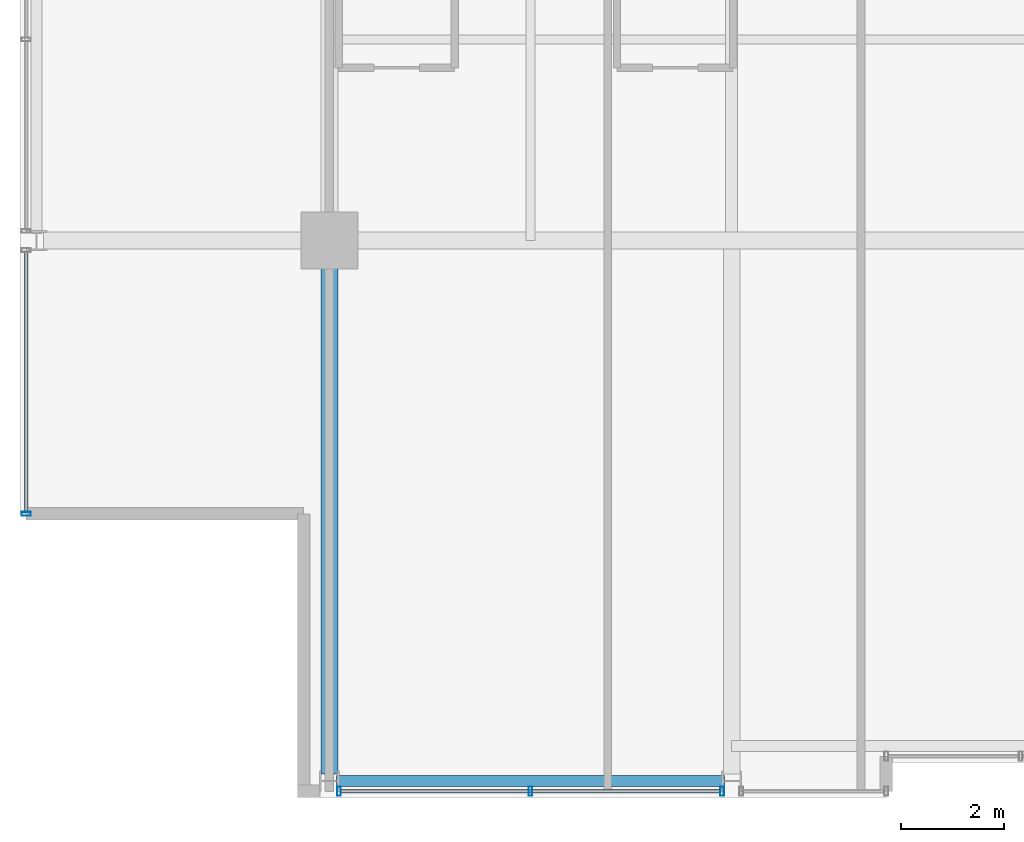
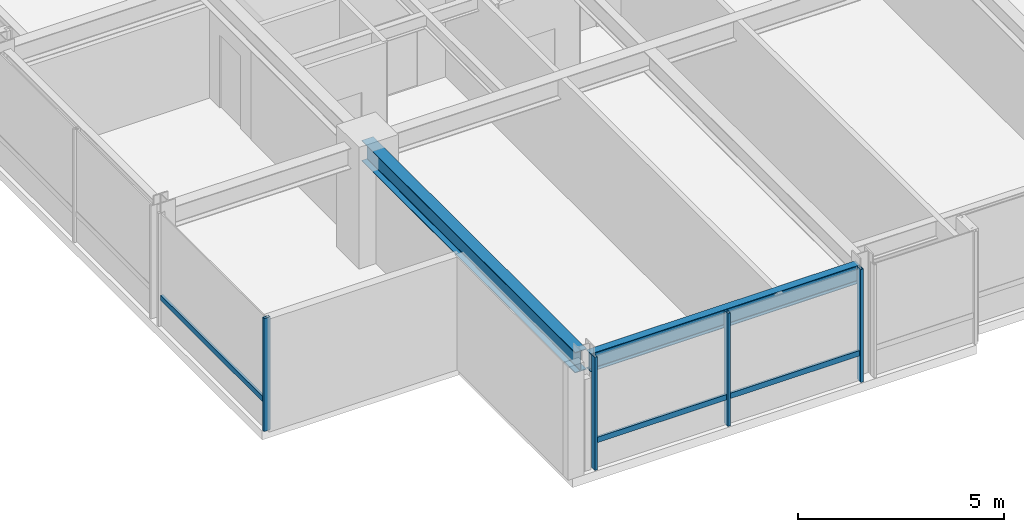
# One storey, part 2 of 33: 6 members, 2 beams, 2 elements without a shape of their own.
"""IFC4 building model written with IfcOpenShell, lengths in metres."""

from ifc_helpers import new_model, si_unit, direction, frame, origin, origin_2d, place, context, subcontext, project, spatial, hollow_rectangle, i_section, extrude, material, layer, layer_set, material_profile, profile_set, type_object, element, aggregate, save


model = new_model("IFC4")

# Units and contexts
model_context = context("Model", 3, precision=1e-05, world=origin(), true_north=direction((0.0, 1.0)))
body_context = subcontext(model_context, "Body", "Model", "MODEL_VIEW")
ifc_project = project(units=[si_unit("LENGTHUNIT", "METRE"), si_unit("AREAUNIT", "SQUARE_METRE"), si_unit("VOLUMEUNIT", "CUBIC_METRE"), si_unit("PLANEANGLEUNIT", "RADIAN"), si_unit("MASSUNIT", "GRAM", prefix="KILO")], contexts=[model_context])

# Site, building, storey
site_placement = place(None, origin())
site = spatial("IfcSite", under=ifc_project, at=site_placement, CompositionType="ELEMENT")
building_placement = place(site_placement, origin())
building = spatial("IfcBuilding", under=site, at=building_placement, Name="Drelvath Grand Hotel", CompositionType="ELEMENT")
storey_placement = place(building_placement, frame((0.0, 0.0, 212.300048828125)))
storey = spatial("IfcBuildingStorey", under=building, at=storey_placement, Name="L55", CompositionType="ELEMENT", Elevation=212.300048828125)

# Curtain wall, member
ifc_material_1 = material(Name="Platinum-Mist Anodised Aluminium Frame", Category="aluminium")
ifc_layer = layer(ifc_material_1, 0.199951171875)
ifc_layer_set = layer_set([ifc_layer], Name="Platinum-Mist Anodised Aluminium Frame")
curtain_wall_type = type_object("IfcCurtainWallType", Name="Stick Curtain Wall CW-05 Platinum Mist High-Rise", PredefinedType="NOTDEFINED", material=ifc_layer_set)
curtain_wall_1_placement = place(storey_placement, origin())
curtain_wall_1 = element("IfcCurtainWall", 1, at=curtain_wall_1_placement, inside=storey, type_object=curtain_wall_type, Name="L55 CW-05 Curtain Wall CW05-L55-WS1", PredefinedType="NOTDEFINED")
ifc_material_profile_1 = material_profile(ifc_material_1, hollow_rectangle(XDim=0.06494140625, YDim=0.159912109375, WallThickness=0.00390625, at=origin_2d()), Name="HSS160X65X4")
ifc_profile_set_1 = profile_set([ifc_material_profile_1], Name="Platinum-Mist Anodised Aluminium Frame")
member_type_1 = type_object("IfcMemberType", Name="Curtain Wall Horizontal Transom CW-05 HSS160X65X4", PredefinedType="USERDEFINED", material=ifc_profile_set_1)
member_1_placement = place(storey_placement, frame((-22.080078125, 5.5400390625, 0.8349609375), z_axis=(0.0, 1.0, 0.0), x_axis=(-1.0, 0.0, 0.0)))
member_1 = element("IfcMember", 2, at=member_1_placement, type_object=member_type_1, Name="CW05-L55-WS1 Sill Transom", ObjectType="TRANSOM", PredefinedType="USERDEFINED", context=body_context, shape_type="SweptSolid", body=[
    extrude(hollow_rectangle(XDim=0.06494140625, YDim=0.159912109375, WallThickness=0.00390625, at=origin_2d()), origin(), (0.0, 0.0, 1.0), 5.03466796875),
])

curtain_wall_2_placement = place(storey_placement, origin())
curtain_wall_2 = element("IfcCurtainWall", 3, at=curtain_wall_2_placement, inside=storey, type_object=curtain_wall_type, Name="L55 CW-05 Curtain Wall CW05-L55-SW2", PredefinedType="NOTDEFINED")
member_2_placement = place(storey_placement, frame((-8.625244140625, 0.1201171875, 0.8349609375), z_axis=(-1.0, 0.0, 0.0), x_axis=(0.0, -1.0, 0.0)))
member_2 = element("IfcMember", 4, at=member_2_placement, type_object=member_type_1, Name="CW05-L55-SW2 Sill Transom", ObjectType="TRANSOM", PredefinedType="USERDEFINED", context=body_context, shape_type="SweptSolid", body=[
    extrude(hollow_rectangle(XDim=0.06494140625, YDim=0.159912109375, WallThickness=0.00390625, at=origin_2d()), origin(), (0.0, 0.0, 1.0), 7.349365234375),
])

# Member
ifc_material_profile_2 = material_profile(ifc_material_1, hollow_rectangle(XDim=0.074951171875, YDim=0.179931640625, WallThickness=0.0048828125, at=origin_2d()), Name="HSS180X75X5")
ifc_profile_set_2 = profile_set([ifc_material_profile_2], Name="Platinum-Mist Anodised Aluminium Frame")
member_type_2 = type_object("IfcMemberType", Name="Curtain Wall Vertical Mullion CW-05 HSS180X75X5", PredefinedType="MULLION", material=ifc_profile_set_2)
member_3_placement = place(storey_placement, frame((-22.080078125, 5.5, 0.0), z_axis=(0.0, 0.0, 1.0), x_axis=(0.0, 1.0, 0.0)))
member_3 = element("IfcMember", 5, at=member_3_placement, type_object=member_type_2, Name="CW05-L55-WS1 Mullion 1", PredefinedType="MULLION", context=body_context, shape_type="SweptSolid", body=[
    extrude(hollow_rectangle(XDim=0.074951171875, YDim=0.179931640625, WallThickness=0.0048828125, at=origin_2d()), origin(), (0.0, 0.0, 1.0), 3.33984375),
])

aggregate(curtain_wall_1, [member_3, member_1])

member_4_placement = place(storey_placement, frame((-8.585205078125, 0.1201171875, 0.0), z_axis=(0.0, 0.0, 1.0), x_axis=(1.0, 0.0, 0.0)))
member_4 = element("IfcMember", 6, at=member_4_placement, type_object=member_type_2, Name="CW05-L55-SW2 Mullion 1", PredefinedType="MULLION", context=body_context, shape_type="SweptSolid", body=[
    extrude(hollow_rectangle(XDim=0.074951171875, YDim=0.179931640625, WallThickness=0.0048828125, at=origin_2d()), origin(), (0.0, 0.0, 1.0), 3.33984375),
])

member_5_placement = place(storey_placement, frame((-12.300048828125, 0.1201171875, 0.0), z_axis=(0.0, 0.0, 1.0), x_axis=(1.0, 0.0, 0.0)))
member_5 = element("IfcMember", 7, at=member_5_placement, type_object=member_type_2, Name="CW05-L55-SW2 Mullion 2", PredefinedType="MULLION", context=body_context, shape_type="SweptSolid", body=[
    extrude(hollow_rectangle(XDim=0.074951171875, YDim=0.179931640625, WallThickness=0.0048828125, at=origin_2d()), origin(), (0.0, 0.0, 1.0), 3.33984375),
])

member_6_placement = place(storey_placement, frame((-16.0146484375, 0.1201171875, 0.0), z_axis=(0.0, 0.0, 1.0), x_axis=(1.0, 0.0, 0.0)))
member_6 = element("IfcMember", 8, at=member_6_placement, type_object=member_type_2, Name="CW05-L55-SW2 Mullion 3", PredefinedType="MULLION", context=body_context, shape_type="SweptSolid", body=[
    extrude(hollow_rectangle(XDim=0.074951171875, YDim=0.179931640625, WallThickness=0.0048828125, at=origin_2d()), origin(), (0.0, 0.0, 1.0), 3.33984375),
])

aggregate(curtain_wall_2, [member_4, member_5, member_6, member_2])

# Beams
ifc_material_2 = material(Name="Steel ASTM A992 Gr 50", Category="steel")
ifc_material_profile_3 = material_profile(ifc_material_2, i_section(OverallWidth=0.210205078125, OverallDepth=0.53662109375, WebThickness=0.010986328125, FlangeThickness=0.017333984375, FilletRadius=0.01806640625, at=origin_2d()), Name="W21X68")
ifc_profile_set_3 = profile_set([ifc_material_profile_3], Name="Steel ASTM A992 Gr 50")
beam_type_1 = type_object("IfcBeamType", Name="Perimeter Spandrel Beam W21X68", PredefinedType="SPANDREL", material=ifc_profile_set_3)
beam_1_placement = place(storey_placement, frame((-16.06005859375, 0.320068359375, 3.071533203125), z_axis=(1.0, 0.0, 0.0), x_axis=(0.0, 1.0, 0.0)))
element("IfcBeam", 9, at=beam_1_placement, inside=storey, type_object=beam_type_1, Name="L55 Spandrel South W", PredefinedType="SPANDREL", context=body_context, shape_type="SweptSolid", body=[
    extrude(i_section(OverallWidth=0.210205078125, OverallDepth=0.53662109375, WebThickness=0.010986328125, FlangeThickness=0.017333984375, FilletRadius=0.01806640625, at=origin_2d()), origin(), (0.0, 0.0, 1.0), 7.52001953125),
])
ifc_material_profile_4 = material_profile(ifc_material_2, i_section(OverallWidth=0.323974609375, OverallDepth=0.611083984375, WebThickness=0.0126953125, FlangeThickness=0.01904296875, FilletRadius=0.02197265625, at=origin_2d()), Name="W24X104")
ifc_profile_set_4 = profile_set([ifc_material_profile_4], Name="Steel ASTM A992 Gr 50")
beam_type_2 = type_object("IfcBeamType", Name="Primary Floor Girder W24X104", PredefinedType="BEAM", material=ifc_profile_set_4)
beam_2_placement = place(storey_placement, frame((-16.199951171875, 0.4599609375, 3.034423828125), z_axis=(0.0, 1.0, 0.0), x_axis=(-1.0, 0.0, 0.0)))
element("IfcBeam", 10, at=beam_2_placement, inside=storey, type_object=beam_type_2, Name="L55 South Grid Girder 3", PredefinedType="BEAM", context=body_context, shape_type="SweptSolid", body=[
    extrude(i_section(OverallWidth=0.323974609375, OverallDepth=0.611083984375, WebThickness=0.0126953125, FlangeThickness=0.01904296875, FilletRadius=0.02197265625, at=origin_2d()), origin(), (0.0, 0.0, 1.0), 10.340087890625),
])

save(model, "model.ifc")
